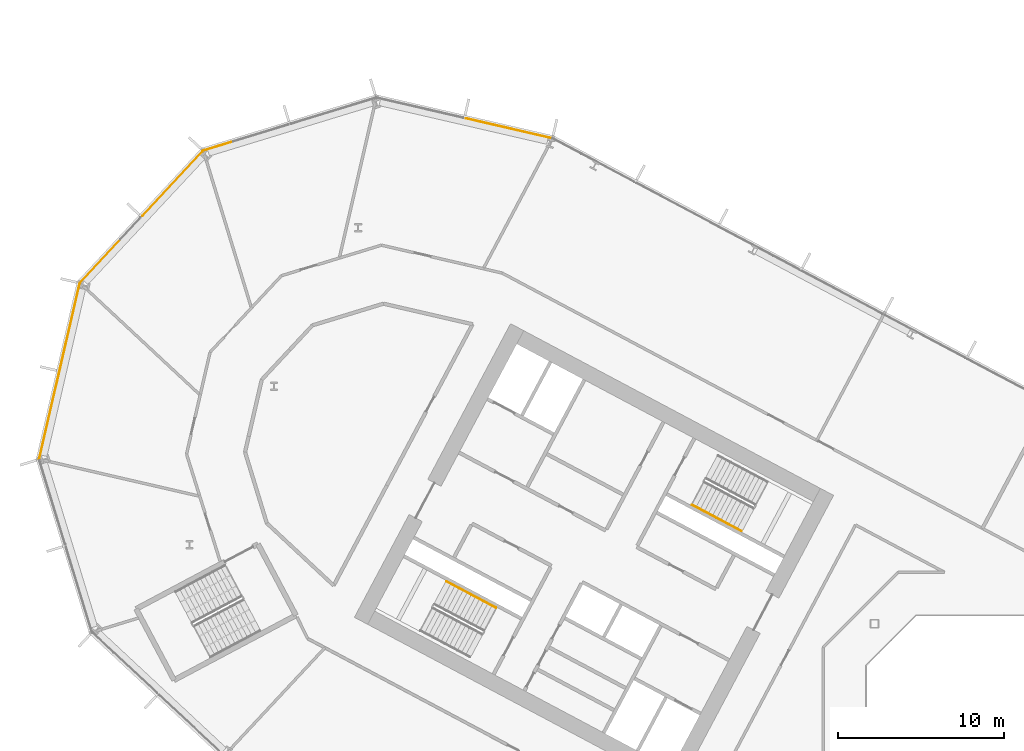
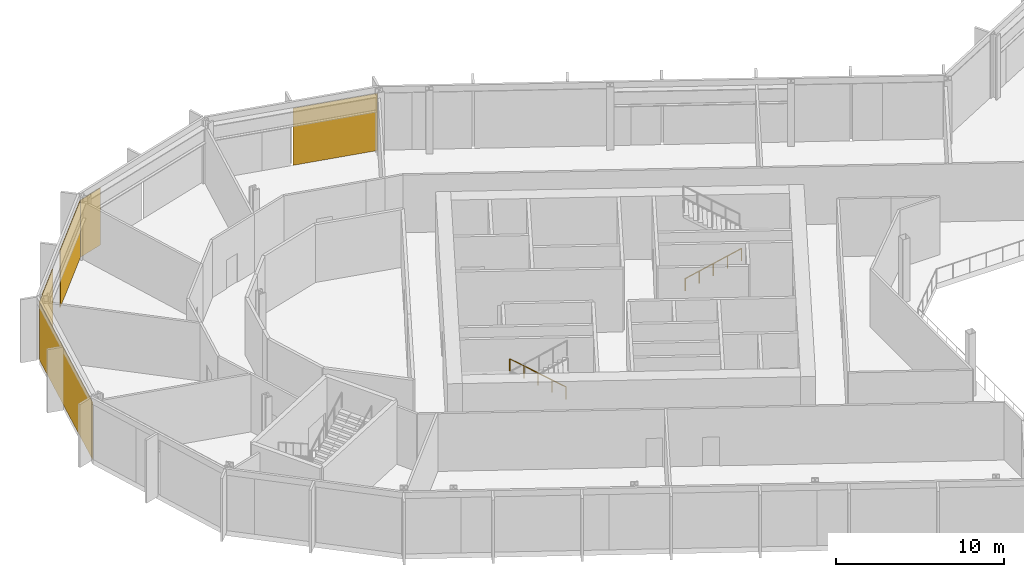
# One storey, part 23 of 30: 5 coverings, 2 railings, 4 elements without a shape of their own.
"""IFC4 building model written with IfcOpenShell, lengths in metres."""

from ifc_helpers import new_model, si_unit, direction, frame, origin, origin_2d, place, context, subcontext, project, spatial, polyline, rectangle, outline, extrude, material, layer, layer_set, type_object, element, aggregate, save


model = new_model("IFC4")

# Units and contexts
model_context = context("Model", 3, precision=1e-05, world=origin(), true_north=direction((0.0, 1.0)))
body_context = subcontext(model_context, "Body", "Model", "MODEL_VIEW")
ifc_project = project(units=[si_unit("LENGTHUNIT", "METRE"), si_unit("AREAUNIT", "SQUARE_METRE"), si_unit("VOLUMEUNIT", "CUBIC_METRE"), si_unit("PLANEANGLEUNIT", "RADIAN"), si_unit("MASSUNIT", "GRAM", prefix="KILO")], contexts=[model_context])

# Site, building, storey
site_placement = place(None, origin())
site = spatial("IfcSite", under=ifc_project, at=site_placement, CompositionType="ELEMENT")
building_placement = place(site_placement, origin())
building = spatial("IfcBuilding", under=site, at=building_placement, Name="Cormorant Relay Tower", CompositionType="ELEMENT")
storey_placement = place(building_placement, frame((0.0, 0.0, 80.0)))
storey = spatial("IfcBuildingStorey", under=building, at=storey_placement, Name="L15", CompositionType="ELEMENT", Elevation=80.0)

# Curtain wall, covering
ifc_material_1 = material(Name="Aluminium 6063-T6 anodised bronze", Category="aluminium")
ifc_layer_1 = layer(ifc_material_1, 0.199951171875)
ifc_layer_set_1 = layer_set([ifc_layer_1], Name="CW1 unitised bronze curtain wall with vertical fins")
curtain_wall_type = type_object("IfcCurtainWallType", Name="CW1 unitised bronze curtain wall with vertical fins", PredefinedType="NOTDEFINED", material=ifc_layer_set_1)
curtain_wall_1_placement = place(storey_placement, origin())
curtain_wall_1 = element("IfcCurtainWall", 1, at=curtain_wall_1_placement, inside=storey, type_object=curtain_wall_type, Name="CW1 curtain wall 8", PredefinedType="NOTDEFINED")
ifc_material_2 = material(Name="Pale bronze anodised aluminium insulated panel", Category="aluminium")
ifc_layer_2 = layer(ifc_material_2, 0.0400390625)
ifc_layer_set_2 = layer_set([ifc_layer_2], Name="CW1 pale bronze insulated panel 40")
covering_type = type_object("IfcCoveringType", Name="CW1 pale bronze insulated panel 40", PredefinedType="CLADDING", material=ifc_layer_set_2)
covering_1_placement = place(storey_placement, frame((-32.51708984375, 40.298828125, 0.0), z_axis=(0.0, 0.0, 1.0), x_axis=(-0.974370064785, 0.224951054344, 0.0)))
covering_1 = element("IfcCovering", 2, at=covering_1_placement, type_object=covering_type, Name="CW1 panel S00", PredefinedType="CLADDING", context=body_context, shape_type="SweptSolid", body=[
    extrude(rectangle(XDim=5.28515625, YDim=0.0400390625, at=origin_2d()), origin(), (0.0, 0.0, 1.0), 4.14990234375),
])
aggregate(curtain_wall_1, [covering_1])

curtain_wall_2_placement = place(storey_placement, origin())
curtain_wall_2 = element("IfcCurtainWall", 3, at=curtain_wall_2_placement, inside=storey, type_object=curtain_wall_type, Name="CW1 curtain wall 9", PredefinedType="NOTDEFINED")
covering_2_placement = place(storey_placement, frame((-50.025146484375, 39.211669921875, 0.0), z_axis=(0.0, 0.0, 1.0), x_axis=(-0.956304755963, -0.292371704723, 0.0)))
covering_2 = element("IfcCovering", 4, at=covering_2_placement, type_object=covering_type, Name="CW1 panel S02", PredefinedType="CLADDING", context=body_context, shape_type="SweptSolid", body=[
    extrude(rectangle(XDim=1.76025390625, YDim=0.0400390625, at=origin_2d()), origin(), (0.0, 0.0, 1.0), 4.14990234375),
])
aggregate(curtain_wall_2, [covering_2])

# Curtain wall, coverings
curtain_wall_3_placement = place(storey_placement, origin())
curtain_wall_3 = element("IfcCurtainWall", 5, at=curtain_wall_3_placement, inside=storey, type_object=curtain_wall_type, Name="CW1 curtain wall 10", PredefinedType="NOTDEFINED")
covering_3_placement = place(storey_placement, frame((-52.72900390625, 36.961181640625, 0.0), z_axis=(0.0, 0.0, 1.0), x_axis=(-0.681998360062, -0.731353701619, 0.0)))
covering_3 = element("IfcCovering", 6, at=covering_3_placement, type_object=covering_type, Name="CW1 panel S00", PredefinedType="CLADDING", context=body_context, shape_type="SweptSolid", body=[
    extrude(rectangle(XDim=5.28515625, YDim=0.0400390625, at=origin_2d()), origin(), (0.0, 0.0, 1.0), 4.14990234375),
])
covering_4_placement = place(storey_placement, frame((-57.0751953125, 32.300537109375, 0.0), z_axis=(0.0, 0.0, 1.0), x_axis=(-0.681998360062, -0.731353701619, 0.0)))
covering_4 = element("IfcCovering", 7, at=covering_4_placement, type_object=covering_type, Name="CW1 panel S02", PredefinedType="CLADDING", context=body_context, shape_type="SweptSolid", body=[
    extrude(rectangle(XDim=3.560302734375, YDim=0.0400390625, at=origin_2d()), origin(), (0.0, 0.0, 1.0), 4.14990234375),
])
aggregate(curtain_wall_3, [covering_3, covering_4])

# Curtain wall, covering
curtain_wall_4_placement = place(storey_placement, origin())
curtain_wall_4 = element("IfcCurtainWall", 8, at=curtain_wall_4_placement, inside=storey, type_object=curtain_wall_type, Name="CW1 curtain wall 11", PredefinedType="NOTDEFINED")
covering_5_placement = place(storey_placement, frame((-59.525146484375, 25.6572265625, 0.0), z_axis=(0.0, 0.0, 1.0), x_axis=(-0.224951054344, -0.974370064785, 0.0)))
covering_5 = element("IfcCovering", 9, at=covering_5_placement, type_object=covering_type, Name="CW1 panel S00", PredefinedType="CLADDING", context=body_context, shape_type="SweptSolid", body=[
    extrude(rectangle(XDim=10.79541015625, YDim=0.0400390625, at=origin_2d()), origin(), (0.0, 0.0, 1.0), 4.14990234375),
])
aggregate(curtain_wall_4, [covering_5])

# Railings
ifc_material_3 = material(Name="Steel ASTM A572 Grade 50 (Fy 345 MPa)", Category="steel")
railing_type = type_object("IfcRailingType", Name="Stair handrail 900", PredefinedType="HANDRAIL", material=ifc_material_3)
railing_1_placement = place(storey_placement, frame((-21.478271484375, 17.6494140625, 0.177001953125)))
element("IfcRailing", 10, at=railing_1_placement, inside=storey, type_object=railing_type, Name="L15 A1 stair handrail 1", PredefinedType="HANDRAIL", context=body_context, shape_type="SweptSolid", body=[
    extrude(outline(polyline([(0.022216796875, 0.00927734375), (0.00927734375, 0.022216796875), (-0.00927734375, 0.022216796875), (-0.022216796875, 0.00927734375), (-0.022216796875, -0.00927734375), (-0.00927734375, -0.022216796875), (0.00927734375, -0.022216796875), (0.022216796875, -0.00927734375), (0.022216796875, 0.00927734375)])), frame((0.0, 0.0, 0.8759765625), z_axis=(0.746422470992, -0.396920836698, 0.534141689248), x_axis=(0.469509342547, 0.882927503967, 0.0)), (0.0, 0.0, 1.0), 3.974609375),
    extrude(outline(polyline([(0.019287109375, 0.008056640625), (0.008056640625, 0.019287109375), (-0.008056640625, 0.019287109375), (-0.019287109375, 0.008056640625), (-0.019287109375, -0.008056640625), (-0.008056640625, -0.019287109375), (0.008056640625, -0.019287109375), (0.019287109375, -0.008056640625), (0.019287109375, 0.008056640625)])), origin(), (0.0, 0.0, 1.0), 0.851806640625),
    extrude(outline(polyline([(0.019287109375, 0.008056640625), (0.008056640625, 0.019287109375), (-0.008056640625, 0.019287109375), (-0.019287109375, 0.008056640625), (-0.019287109375, -0.008056640625), (-0.008056640625, -0.019287109375), (0.008056640625, -0.019287109375), (0.019287109375, -0.008056640625), (0.019287109375, 0.008056640625)])), frame((0.74169921875, -0.39453125, 0.53076171875)), (0.0, 0.0, 1.0), 0.851806640625),
    extrude(outline(polyline([(0.019287109375, 0.008056640625), (0.008056640625, 0.019287109375), (-0.008056640625, 0.019287109375), (-0.019287109375, 0.008056640625), (-0.019287109375, -0.008056640625), (-0.008056640625, -0.019287109375), (0.008056640625, -0.019287109375), (0.019287109375, -0.008056640625), (0.019287109375, 0.008056640625)])), frame((1.4833984375, -0.788818359375, 1.0615234375)), (0.0, 0.0, 1.0), 0.851806640625),
    extrude(outline(polyline([(0.019287109375, 0.008056640625), (0.008056640625, 0.019287109375), (-0.008056640625, 0.019287109375), (-0.019287109375, 0.008056640625), (-0.019287109375, -0.008056640625), (-0.008056640625, -0.019287109375), (0.008056640625, -0.019287109375), (0.019287109375, -0.008056640625), (0.019287109375, 0.008056640625)])), frame((2.22509765625, -1.18310546875, 1.59228515625)), (0.0, 0.0, 1.0), 0.851806640625),
    extrude(outline(polyline([(0.019287109375, 0.008056640625), (0.008056640625, 0.019287109375), (-0.008056640625, 0.019287109375), (-0.019287109375, 0.008056640625), (-0.019287109375, -0.008056640625), (-0.008056640625, -0.019287109375), (0.008056640625, -0.019287109375), (0.019287109375, -0.008056640625), (0.019287109375, 0.008056640625)])), frame((2.966796875, -1.57763671875, 2.123046875)), (0.0, 0.0, 1.0), 0.851806640625),
])
railing_2_placement = place(storey_placement, frame((-33.264404296875, 11.4580078125, 0.177001953125)))
element("IfcRailing", 11, at=railing_2_placement, inside=storey, type_object=railing_type, Name="L15 A2 stair handrail 1", PredefinedType="HANDRAIL", context=body_context, shape_type="SweptSolid", body=[
    extrude(outline(polyline([(0.022216796875, 0.00927734375), (0.00927734375, 0.022216796875), (-0.00927734375, 0.022216796875), (-0.022216796875, 0.00927734375), (-0.022216796875, -0.00927734375), (-0.00927734375, -0.022216796875), (0.00927734375, -0.022216796875), (0.022216796875, -0.00927734375), (0.022216796875, 0.00927734375)])), frame((0.0, 0.0, 0.8759765625), z_axis=(-0.746440668329, 0.396869088057, 0.534154711306), x_axis=(-0.46945269911, -0.882957622595, 0.0)), (0.0, 0.0, 1.0), 3.974609375),
    extrude(outline(polyline([(0.019287109375, 0.008056640625), (0.008056640625, 0.019287109375), (-0.008056640625, 0.019287109375), (-0.019287109375, 0.008056640625), (-0.019287109375, -0.008056640625), (-0.008056640625, -0.019287109375), (0.008056640625, -0.019287109375), (0.019287109375, -0.008056640625), (0.019287109375, 0.008056640625)])), origin(), (0.0, 0.0, 1.0), 0.851806640625),
    extrude(outline(polyline([(0.019287109375, 0.008056640625), (0.008056640625, 0.019287109375), (-0.008056640625, 0.019287109375), (-0.019287109375, 0.008056640625), (-0.019287109375, -0.008056640625), (-0.008056640625, -0.019287109375), (0.008056640625, -0.019287109375), (0.019287109375, -0.008056640625), (0.019287109375, 0.008056640625)])), frame((-0.74169921875, 0.394287109375, 0.53076171875)), (0.0, 0.0, 1.0), 0.851806640625),
    extrude(outline(polyline([(0.019287109375, 0.008056640625), (0.008056640625, 0.019287109375), (-0.008056640625, 0.019287109375), (-0.019287109375, 0.008056640625), (-0.019287109375, -0.008056640625), (-0.008056640625, -0.019287109375), (0.008056640625, -0.019287109375), (0.019287109375, -0.008056640625), (0.019287109375, 0.008056640625)])), frame((-1.4833984375, 0.78857421875, 1.0615234375)), (0.0, 0.0, 1.0), 0.851806640625),
    extrude(outline(polyline([(0.019287109375, 0.008056640625), (0.008056640625, 0.019287109375), (-0.008056640625, 0.019287109375), (-0.019287109375, 0.008056640625), (-0.019287109375, -0.008056640625), (-0.008056640625, -0.019287109375), (0.008056640625, -0.019287109375), (0.019287109375, -0.008056640625), (0.019287109375, 0.008056640625)])), frame((-2.22509765625, 1.18310546875, 1.59228515625)), (0.0, 0.0, 1.0), 0.851806640625),
    extrude(outline(polyline([(0.019287109375, 0.008056640625), (0.008056640625, 0.019287109375), (-0.008056640625, 0.019287109375), (-0.019287109375, 0.008056640625), (-0.019287109375, -0.008056640625), (-0.008056640625, -0.019287109375), (0.008056640625, -0.019287109375), (0.019287109375, -0.008056640625), (0.019287109375, 0.008056640625)])), frame((-2.966796875, 1.577392578125, 2.123046875)), (0.0, 0.0, 1.0), 0.851806640625),
])

save(model, "model.ifc")
